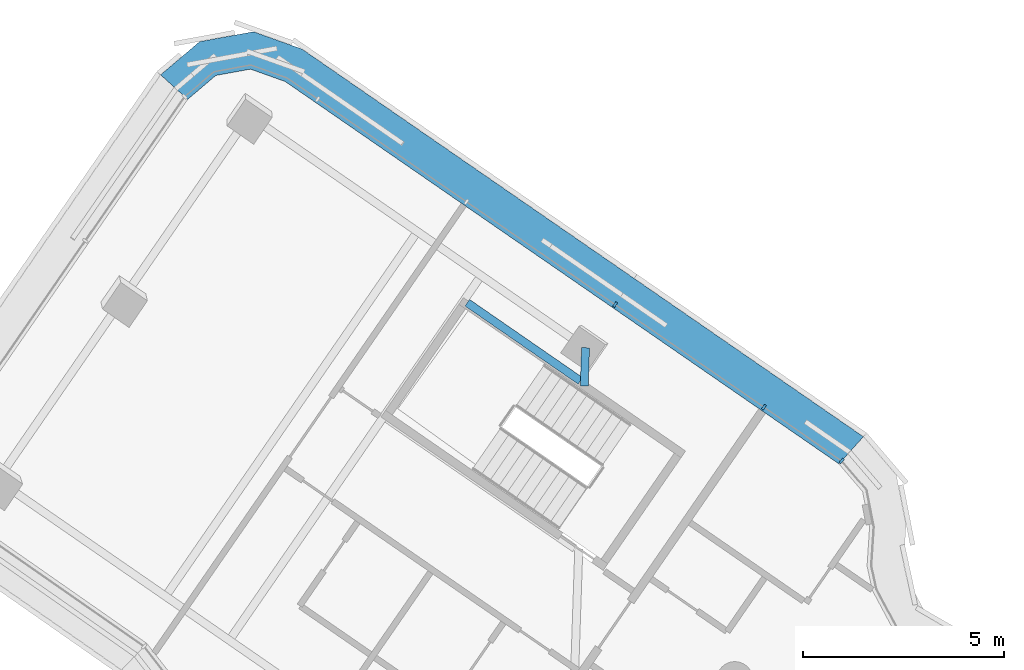
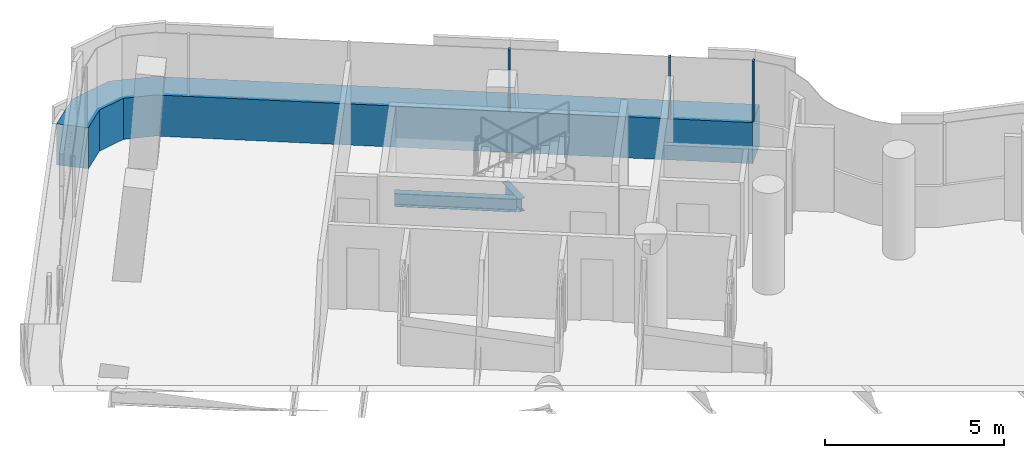
# One storey, part 13 of 26: 4 members, 2 beams, 1 element without a shape of its own.
"""IFC4 building model written with IfcOpenShell, lengths in metres."""

from ifc_helpers import new_model, si_unit, direction, frame, origin, origin_2d, place, context, subcontext, project, spatial, polyline, rectangle, i_section, outline, extrude, material, layer, layer_set, material_profile, profile_set, type_object, element, aggregate, save


model = new_model("IFC4")

# Units and contexts
model_context = context("Model", 3, precision=1e-05, world=origin(), true_north=direction((0.0, 1.0)))
body_context = subcontext(model_context, "Body", "Model", "MODEL_VIEW")
ifc_project = project(units=[si_unit("LENGTHUNIT", "METRE"), si_unit("AREAUNIT", "SQUARE_METRE"), si_unit("VOLUMEUNIT", "CUBIC_METRE"), si_unit("PLANEANGLEUNIT", "RADIAN"), si_unit("MASSUNIT", "GRAM", prefix="KILO")], contexts=[model_context])

# Site, building, storey
site_placement = place(None, origin())
site = spatial("IfcSite", under=ifc_project, at=site_placement, CompositionType="ELEMENT")
building_placement = place(site_placement, origin())
building = spatial("IfcBuilding", under=site, at=building_placement, Name="Tamarind Cross Interchange Tower", CompositionType="ELEMENT")
storey_placement = place(building_placement, frame((0.0, 0.0, 234.300048828125)))
storey = spatial("IfcBuildingStorey", under=building, at=storey_placement, Name="L59", CompositionType="ELEMENT", Elevation=234.300048828125)

# Beams
ifc_material_1 = material(Name="Steel Q355B", Category="steel")
ifc_material_profile_1 = material_profile(ifc_material_1, i_section(OverallWidth=0.198974609375, OverallDepth=0.446044921875, WebThickness=0.008056640625, FlangeThickness=0.011962890625, FilletRadius=0.012939453125, at=origin_2d()), Name="HN 446x199x8x12")
ifc_profile_set_1 = profile_set([ifc_material_profile_1], Name="Steel Q355B")
beam_type = type_object("IfcBeamType", Name="Composite beam HN 446x199x8x12 Q355B", PredefinedType="BEAM", material=ifc_profile_set_1)
beam_1_placement = place(storey_placement, frame((-3.704833984375, 31.241943359375, -0.363037109375), z_axis=(-0.033648372924, -0.999433733171, 0.0), x_axis=(0.999433733171, -0.033648372924, 0.0)))
element("IfcBeam", 1, at=beam_1_placement, inside=storey, type_object=beam_type, Name="Beam N-linkemt0", PredefinedType="BEAM", context=body_context, shape_type="SweptSolid", body=[
    extrude(i_section(OverallWidth=0.198974609375, OverallDepth=0.446044921875, WebThickness=0.008056640625, FlangeThickness=0.011962890625, FilletRadius=0.012939453125, at=origin_2d()), origin(), (0.0, 0.0, 1.0), 0.950439453125),
])
beam_2_placement = place(storey_placement, frame((-3.83203125, 30.41845703125, -0.363037109375), z_axis=(-0.822884161711, 0.568209166069, 0.0), x_axis=(-0.568209166069, -0.822884161711, 0.0)))
element("IfcBeam", 2, at=beam_2_placement, inside=storey, type_object=beam_type, Name="Beam N-tr0s1", PredefinedType="BEAM", context=body_context, shape_type="SweptSolid", body=[
    extrude(i_section(OverallWidth=0.198974609375, OverallDepth=0.446044921875, WebThickness=0.008056640625, FlangeThickness=0.011962890625, FilletRadius=0.012939453125, at=origin_2d()), origin(), (0.0, 0.0, 1.0), 3.413818359375),
])

# Curtain wall, members
ifc_material_2 = material(Name="Aluminium 6063-T6", Category="aluminium")
ifc_layer = layer(ifc_material_2, 0.139892578125)
ifc_layer_set = layer_set([ifc_layer], Name="Aluminium 6063-T6")
curtain_wall_type = type_object("IfcCurtainWallType", Name="Hotel curtain wall, 4.5 m bays", PredefinedType="NOTDEFINED", material=ifc_layer_set)
curtain_wall_placement = place(storey_placement, origin())
curtain_wall = element("IfcCurtainWall", 3, at=curtain_wall_placement, inside=storey, type_object=curtain_wall_type, Name="CWS-L59-03", PredefinedType="NOTDEFINED")
ifc_material_3 = material(Name="Aluminium and insulated spandrel panel", Category="aluminium")
member_type_1 = type_object("IfcMemberType", Name="Floor-edge blade transom", PredefinedType="USERDEFINED", material=ifc_material_3)
member_1_placement = place(storey_placement, origin())
member_1 = element("IfcMember", 4, at=member_1_placement, type_object=member_type_1, Name="CWT-L59-03", ObjectType="TRANSOM", PredefinedType="USERDEFINED", context=body_context, shape_type="SweptSolid", body=[
    extrude(outline(polyline([(2.585205078125, 28.357177734375), (-11.160400390625, 37.8486328125), (-12.022705078125, 38.156005859375), (-12.8828125, 37.99853515625), (-13.580322265625, 37.405517578125), (-14.25341796875, 38.014404296875), (-13.2822265625, 38.84033203125), (-11.947509765625, 39.084716796875), (-10.74658203125, 38.656494140625), (3.1923828125, 29.031494140625), (2.585205078125, 28.357177734375)])), origin(), (0.0, 0.0, 1.0), 1.39990234375),
])
ifc_material_profile_2 = material_profile(ifc_material_2, rectangle(XDim=0.06005859375, YDim=0.139892578125, at=origin_2d()), Name="Mullion CW2")
ifc_profile_set_2 = profile_set([ifc_material_profile_2], Name="Aluminium 6063-T6")
member_type_2 = type_object("IfcMemberType", Name="Mullion CW2", PredefinedType="MULLION", material=ifc_profile_set_2)
member_2_placement = place(storey_placement, frame((2.652587890625, 28.431884765625, 1.39990234375), z_axis=(0.0, 0.0, 1.0), x_axis=(-0.743014772121, 0.669275017022, 0.0)))
member_2 = element("IfcMember", 5, at=member_2_placement, type_object=member_type_2, Name="CWM-L59-03-00", PredefinedType="MULLION", context=body_context, shape_type="SweptSolid", body=[
    extrude(rectangle(XDim=0.06005859375, YDim=0.139892578125, at=origin_2d()), origin(), (0.0, 0.0, 1.0), 2.06005859375),
])
member_3_placement = place(storey_placement, frame((0.721435546875, 29.765380859375, 1.39990234375), z_axis=(0.0, 0.0, 1.0), x_axis=(-0.822882571359, 0.56821146922, 0.0)))
member_3 = element("IfcMember", 6, at=member_3_placement, type_object=member_type_2, Name="CWM-L59-03-01", PredefinedType="MULLION", context=body_context, shape_type="SweptSolid", body=[
    extrude(rectangle(XDim=0.06005859375, YDim=0.139892578125, at=origin_2d()), origin(), (0.0, 0.0, 1.0), 2.06005859375),
])
member_4_placement = place(storey_placement, frame((-2.9697265625, 32.314208984375, 1.39990234375), z_axis=(0.0, 0.0, 1.0), x_axis=(-0.822882571359, 0.56821146922, 0.0)))
member_4 = element("IfcMember", 7, at=member_4_placement, type_object=member_type_2, Name="CWM-L59-03-02", PredefinedType="MULLION", context=body_context, shape_type="SweptSolid", body=[
    extrude(rectangle(XDim=0.06005859375, YDim=0.139892578125, at=origin_2d()), origin(), (0.0, 0.0, 1.0), 2.06005859375),
])
aggregate(curtain_wall, [member_2, member_3, member_4, member_1])

save(model, "model.ifc")
